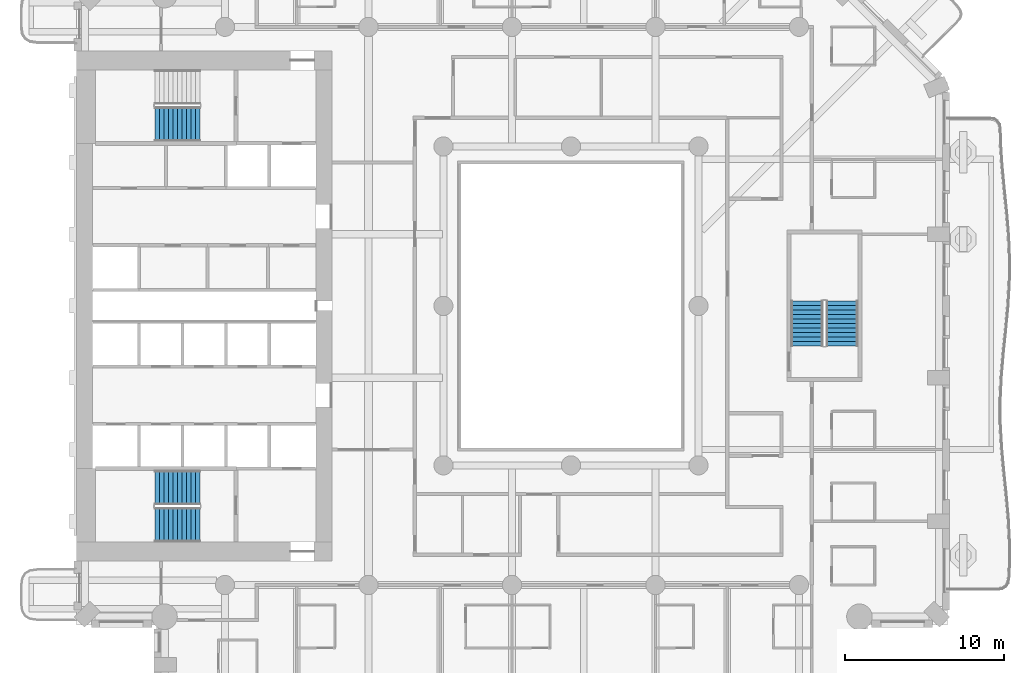
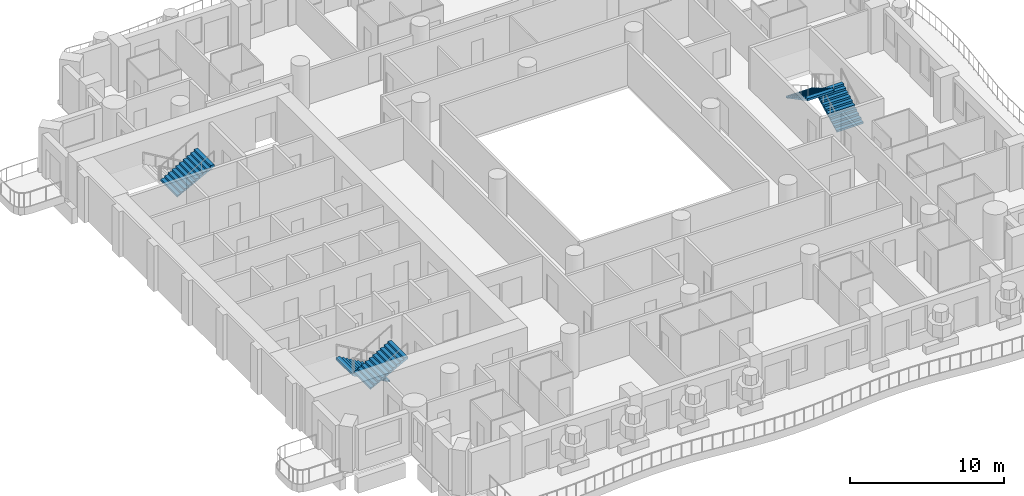
# One storey, part 11 of 20: 5 stair flights, 3 elements without a shape of their own.
"""IFC4 building model written with IfcOpenShell, lengths in metres."""

from ifc_helpers import new_model, si_unit, direction, frame, origin, place, context, subcontext, project, spatial, triangles, material, type_object, element, aggregate, save


model = new_model("IFC4")

# Units and contexts
model_context = context("Model", 3, precision=1e-05, world=origin(), true_north=direction((0.0, 1.0)))
body_context = subcontext(model_context, "Body", "Model", "MODEL_VIEW")
ifc_project = project(units=[si_unit("LENGTHUNIT", "METRE"), si_unit("AREAUNIT", "SQUARE_METRE"), si_unit("VOLUMEUNIT", "CUBIC_METRE"), si_unit("PLANEANGLEUNIT", "RADIAN"), si_unit("MASSUNIT", "GRAM", prefix="KILO")], contexts=[model_context])

# Site, building, storey
site_placement = place(None, origin())
site = spatial("IfcSite", under=ifc_project, at=site_placement, CompositionType="ELEMENT")
building_placement = place(site_placement, origin())
building = spatial("IfcBuilding", under=site, at=building_placement, Name="Cypress Arch Tower", CompositionType="ELEMENT")
storey_placement = place(building_placement, frame((0.0, 0.0, 95.10009765625)))
storey = spatial("IfcBuildingStorey", under=building, at=storey_placement, Name="L18", CompositionType="ELEMENT", Elevation=95.10009765625)

# Stair, stair flights
ifc_material_1 = material(Name="Concrete C40/50", Category="concrete")
stair_type_1 = type_object("IfcStairType", Name="Exit stair ES1636-200", PredefinedType="HALF_TURN_STAIR", material=ifc_material_1)
stair_1_placement = place(storey_placement, origin())
stair_1 = element("IfcStair", 1, at=stair_1_placement, inside=storey, type_object=stair_type_1, Name="L18 Exit stair C", PredefinedType="HALF_TURN_STAIR")
ifc_material_2 = material(Name="Concrete C40/50", Category="concrete")
stair_flight_type_1 = type_object("IfcStairFlightType", Name="Exit stair flight ES1636-200", PredefinedType="STRAIGHT", material=ifc_material_2)
stair_flight_1_placement = place(storey_placement, frame((18.0, -2.5, 0.0), z_axis=(0.0, 0.0, 1.0), x_axis=(0.0, 1.0, 0.0)))
stair_flight_1 = element("IfcStairFlight", 2, at=stair_flight_1_placement, type_object=stair_flight_type_1, Name="C flight 1", NumberOfRisers=11, NumberOfTreads=10, PredefinedType="STRAIGHT", RiserHeight=0.163636364, TreadLength=0.28, context=body_context, shape_type="Tessellation", body=[
    triangles([(0.0, -1.0, 0.0), (0.00048828125, -1.0, 0.054443359375), (0.00048828125, -1.0, 0.109130859375), (0.0, -1.0, 0.16357421875), (0.280029296875, -1.0, 0.16357421875), (0.280029296875, -1.0, 0.327392578125), (0.56005859375, -1.0, 0.327392578125), (0.56005859375, -1.0, 0.490966796875), (0.840087890625, -1.0, 0.490966796875), (0.840087890625, -1.0, 0.654541015625), (1.1201171875, -1.0, 0.654541015625), (1.1201171875, -1.0, 0.818115234375), (1.39990234375, -1.0, 0.818115234375), (1.39990234375, -1.0, 0.98193359375), (1.679931640625, -1.0, 0.98193359375), (1.679931640625, -1.0, 1.1455078125), (1.9599609375, -1.0, 1.1455078125), (1.9599609375, -1.0, 1.30908203125), (2.239990234375, -1.0, 1.30908203125), (2.239990234375, -1.0, 1.47265625), (2.52001953125, -1.0, 1.47265625), (2.52001953125, -1.0, 1.636474609375), (2.800048828125, -1.0, 1.636474609375), (2.799560546875, -1.0, 1.57861328125), (2.799560546875, -1.0, 1.5205078125), (2.800048828125, -1.0, 1.462646484375), (2.800048828125, 1.0, 1.462646484375), (2.799560546875, 1.0, 1.5205078125), (2.799560546875, 1.0, 1.57861328125), (2.800048828125, 1.0, 1.636474609375), (2.52001953125, 1.0, 1.636474609375), (2.52001953125, 1.0, 1.47265625), (2.239990234375, 1.0, 1.47265625), (2.239990234375, 1.0, 1.30908203125), (1.9599609375, 1.0, 1.30908203125), (1.9599609375, 1.0, 1.1455078125), (1.679931640625, 1.0, 1.1455078125), (1.679931640625, 1.0, 0.98193359375), (1.39990234375, 1.0, 0.98193359375), (1.39990234375, 1.0, 0.818115234375), (1.1201171875, 1.0, 0.818115234375), (1.1201171875, 1.0, 0.654541015625), (0.840087890625, 1.0, 0.654541015625), (0.840087890625, 1.0, 0.490966796875), (0.56005859375, 1.0, 0.490966796875), (0.56005859375, 1.0, 0.327392578125), (0.280029296875, 1.0, 0.327392578125), (0.280029296875, 1.0, 0.16357421875), (0.0, 1.0, 0.16357421875), (0.00048828125, 1.0, 0.109130859375), (0.00048828125, 1.0, 0.054443359375), (0.0, 1.0, 0.0), (2.799560546875, 0.0, 1.5205078125), (2.800048828125, 0.0, 1.462646484375), (2.799560546875, 0.0, 1.57861328125), (2.800048828125, 0.0, 1.636474609375), (2.52001953125, 0.0, 1.636474609375), (2.52001953125, 0.0, 1.47265625), (2.239990234375, 0.0, 1.47265625), (2.239990234375, 0.0, 1.30908203125), (1.9599609375, 0.0, 1.30908203125), (1.9599609375, 0.0, 1.1455078125), (1.679931640625, 0.0, 1.1455078125), (1.679931640625, 0.0, 0.98193359375), (1.39990234375, 0.0, 0.98193359375), (1.39990234375, 0.0, 0.818115234375), (1.1201171875, 0.0, 0.818115234375), (1.1201171875, 0.0, 0.654541015625), (0.840087890625, 0.0, 0.654541015625), (0.840087890625, 0.0, 0.490966796875), (0.56005859375, 0.0, 0.490966796875), (0.56005859375, 0.0, 0.327392578125), (0.280029296875, 0.0, 0.327392578125), (0.280029296875, 0.0, 0.16357421875), (0.0, 0.0, 0.16357421875), (0.00048828125, 0.0, 0.109130859375), (0.00048828125, 0.0, 0.054443359375), (0.0, 0.0, 0.0)], [[26, 25, 22], [25, 24, 22], [24, 23, 22], [15, 14, 13], [7, 6, 5], [13, 12, 11], [21, 20, 19], [19, 18, 17], [17, 16, 15], [11, 10, 9], [9, 8, 7], [4, 3, 5], [3, 2, 5], [2, 1, 5], [26, 22, 21], [26, 21, 19], [26, 19, 17], [26, 17, 15], [26, 15, 13], [26, 13, 11], [26, 11, 9], [26, 9, 7], [26, 7, 5], [26, 5, 1], [27, 31, 28], [28, 31, 29], [29, 31, 30], [38, 40, 39], [46, 48, 47], [40, 42, 41], [32, 34, 33], [34, 36, 35], [36, 38, 37], [42, 44, 43], [44, 46, 45], [49, 48, 50], [50, 48, 51], [51, 48, 52], [27, 32, 31], [27, 34, 32], [27, 36, 34], [27, 38, 36], [27, 40, 38], [27, 42, 40], [27, 44, 42], [27, 46, 44], [27, 48, 46], [27, 52, 48], [54, 53, 25], [54, 25, 26], [27, 28, 53], [27, 53, 54], [53, 55, 24], [53, 24, 25], [28, 29, 55], [28, 55, 53], [55, 56, 23], [55, 23, 24], [29, 30, 56], [29, 56, 55], [56, 57, 22], [56, 22, 23], [30, 31, 57], [30, 57, 56], [57, 58, 21], [57, 21, 22], [31, 32, 58], [31, 58, 57], [58, 59, 20], [58, 20, 21], [32, 33, 59], [32, 59, 58], [59, 60, 19], [59, 19, 20], [33, 34, 60], [33, 60, 59], [60, 61, 18], [60, 18, 19], [34, 35, 61], [34, 61, 60], [61, 62, 17], [61, 17, 18], [35, 36, 62], [35, 62, 61], [62, 63, 16], [62, 16, 17], [36, 37, 63], [36, 63, 62], [63, 64, 15], [63, 15, 16], [37, 38, 64], [37, 64, 63], [64, 65, 14], [64, 14, 15], [38, 39, 65], [38, 65, 64], [65, 66, 13], [65, 13, 14], [39, 40, 66], [39, 66, 65], [66, 67, 12], [66, 12, 13], [40, 41, 67], [40, 67, 66], [67, 68, 11], [67, 11, 12], [41, 42, 68], [41, 68, 67], [68, 69, 10], [68, 10, 11], [42, 43, 69], [42, 69, 68], [69, 70, 9], [69, 9, 10], [43, 44, 70], [43, 70, 69], [70, 71, 8], [70, 8, 9], [44, 45, 71], [44, 71, 70], [71, 72, 7], [71, 7, 8], [45, 46, 72], [45, 72, 71], [72, 73, 6], [72, 6, 7], [46, 47, 73], [46, 73, 72], [73, 74, 5], [73, 5, 6], [47, 48, 74], [47, 74, 73], [74, 75, 4], [74, 4, 5], [48, 49, 75], [48, 75, 74], [75, 76, 3], [75, 3, 4], [49, 50, 76], [49, 76, 75], [76, 77, 2], [76, 2, 3], [50, 51, 77], [50, 77, 76], [77, 78, 1], [77, 1, 2], [51, 52, 78], [51, 78, 77], [78, 54, 26], [78, 26, 1], [52, 27, 54], [52, 54, 78]], closed=True),
])
stair_flight_2_placement = place(storey_placement, frame((15.800048828125, 0.300048828125, 1.7998046875), z_axis=(0.0, 0.0, 1.0), x_axis=(0.0, -1.0, 0.0)))
stair_flight_2 = element("IfcStairFlight", 3, at=stair_flight_2_placement, type_object=stair_flight_type_1, Name="C flight 2", NumberOfRisers=11, NumberOfTreads=10, PredefinedType="STRAIGHT", RiserHeight=0.163636364, TreadLength=0.28, context=body_context, shape_type="Tessellation", body=[
    triangles([(0.0, -1.0, 0.0), (0.00048828125, -1.0, 0.054443359375), (0.00048828125, -1.0, 0.109130859375), (0.0, -1.0, 0.16357421875), (0.280029296875, -1.0, 0.16357421875), (0.280029296875, -1.0, 0.327392578125), (0.56005859375, -1.0, 0.327392578125), (0.56005859375, -1.0, 0.490966796875), (0.840087890625, -1.0, 0.490966796875), (0.840087890625, -1.0, 0.654541015625), (1.1201171875, -1.0, 0.654541015625), (1.1201171875, -1.0, 0.818115234375), (1.39990234375, -1.0, 0.818115234375), (1.39990234375, -1.0, 0.98193359375), (1.679931640625, -1.0, 0.98193359375), (1.679931640625, -1.0, 1.1455078125), (1.9599609375, -1.0, 1.1455078125), (1.9599609375, -1.0, 1.30908203125), (2.239990234375, -1.0, 1.30908203125), (2.239990234375, -1.0, 1.47265625), (2.52001953125, -1.0, 1.47265625), (2.52001953125, -1.0, 1.636474609375), (2.800048828125, -1.0, 1.636474609375), (2.799560546875, -1.0, 1.57861328125), (2.799560546875, -1.0, 1.5205078125), (2.800048828125, -1.0, 1.462646484375), (2.800048828125, 1.0, 1.462646484375), (2.799560546875, 1.0, 1.5205078125), (2.799560546875, 1.0, 1.57861328125), (2.800048828125, 1.0, 1.636474609375), (2.52001953125, 1.0, 1.636474609375), (2.52001953125, 1.0, 1.47265625), (2.239990234375, 1.0, 1.47265625), (2.239990234375, 1.0, 1.30908203125), (1.9599609375, 1.0, 1.30908203125), (1.9599609375, 1.0, 1.1455078125), (1.679931640625, 1.0, 1.1455078125), (1.679931640625, 1.0, 0.98193359375), (1.39990234375, 1.0, 0.98193359375), (1.39990234375, 1.0, 0.818115234375), (1.1201171875, 1.0, 0.818115234375), (1.1201171875, 1.0, 0.654541015625), (0.840087890625, 1.0, 0.654541015625), (0.840087890625, 1.0, 0.490966796875), (0.56005859375, 1.0, 0.490966796875), (0.56005859375, 1.0, 0.327392578125), (0.280029296875, 1.0, 0.327392578125), (0.280029296875, 1.0, 0.16357421875), (0.0, 1.0, 0.16357421875), (0.00048828125, 1.0, 0.109130859375), (0.00048828125, 1.0, 0.054443359375), (0.0, 1.0, 0.0), (2.799560546875, 0.0, 1.5205078125), (2.800048828125, 0.0, 1.462646484375), (2.799560546875, 0.0, 1.57861328125), (2.800048828125, 0.0, 1.636474609375), (2.52001953125, 0.0, 1.636474609375), (2.52001953125, 0.0, 1.47265625), (2.239990234375, 0.0, 1.47265625), (2.239990234375, 0.0, 1.30908203125), (1.9599609375, 0.0, 1.30908203125), (1.9599609375, 0.0, 1.1455078125), (1.679931640625, 0.0, 1.1455078125), (1.679931640625, 0.0, 0.98193359375), (1.39990234375, 0.0, 0.98193359375), (1.39990234375, 0.0, 0.818115234375), (1.1201171875, 0.0, 0.818115234375), (1.1201171875, 0.0, 0.654541015625), (0.840087890625, 0.0, 0.654541015625), (0.840087890625, 0.0, 0.490966796875), (0.56005859375, 0.0, 0.490966796875), (0.56005859375, 0.0, 0.327392578125), (0.280029296875, 0.0, 0.327392578125), (0.280029296875, 0.0, 0.16357421875), (0.0, 0.0, 0.16357421875), (0.00048828125, 0.0, 0.109130859375), (0.00048828125, 0.0, 0.054443359375), (0.0, 0.0, 0.0)], [[26, 25, 22], [25, 24, 22], [24, 23, 22], [15, 14, 13], [7, 6, 5], [13, 12, 11], [21, 20, 19], [19, 18, 17], [17, 16, 15], [11, 10, 9], [9, 8, 7], [4, 3, 5], [3, 2, 5], [2, 1, 5], [26, 22, 21], [26, 21, 19], [26, 19, 17], [26, 17, 15], [26, 15, 13], [26, 13, 11], [26, 11, 9], [26, 9, 7], [26, 7, 5], [26, 5, 1], [27, 31, 28], [28, 31, 29], [29, 31, 30], [38, 40, 39], [46, 48, 47], [40, 42, 41], [32, 34, 33], [34, 36, 35], [36, 38, 37], [42, 44, 43], [44, 46, 45], [49, 48, 50], [50, 48, 51], [51, 48, 52], [27, 32, 31], [27, 34, 32], [27, 36, 34], [27, 38, 36], [27, 40, 38], [27, 42, 40], [27, 44, 42], [27, 46, 44], [27, 48, 46], [27, 52, 48], [54, 53, 25], [54, 25, 26], [27, 28, 53], [27, 53, 54], [53, 55, 24], [53, 24, 25], [28, 29, 55], [28, 55, 53], [55, 56, 23], [55, 23, 24], [29, 30, 56], [29, 56, 55], [56, 57, 22], [56, 22, 23], [30, 31, 57], [30, 57, 56], [57, 58, 21], [57, 21, 22], [31, 32, 58], [31, 58, 57], [58, 59, 20], [58, 20, 21], [32, 33, 59], [32, 59, 58], [59, 60, 19], [59, 19, 20], [33, 34, 60], [33, 60, 59], [60, 61, 18], [60, 18, 19], [34, 35, 61], [34, 61, 60], [61, 62, 17], [61, 17, 18], [35, 36, 62], [35, 62, 61], [62, 63, 16], [62, 16, 17], [36, 37, 63], [36, 63, 62], [63, 64, 15], [63, 15, 16], [37, 38, 64], [37, 64, 63], [64, 65, 14], [64, 14, 15], [38, 39, 65], [38, 65, 64], [65, 66, 13], [65, 13, 14], [39, 40, 66], [39, 66, 65], [66, 67, 12], [66, 12, 13], [40, 41, 67], [40, 67, 66], [67, 68, 11], [67, 11, 12], [41, 42, 68], [41, 68, 67], [68, 69, 10], [68, 10, 11], [42, 43, 69], [42, 69, 68], [69, 70, 9], [69, 9, 10], [43, 44, 70], [43, 70, 69], [70, 71, 8], [70, 8, 9], [44, 45, 71], [44, 71, 70], [71, 72, 7], [71, 7, 8], [45, 46, 72], [45, 72, 71], [72, 73, 6], [72, 6, 7], [46, 47, 73], [46, 73, 72], [73, 74, 5], [73, 5, 6], [47, 48, 74], [47, 74, 73], [74, 75, 4], [74, 4, 5], [48, 49, 75], [48, 75, 74], [75, 76, 3], [75, 3, 4], [49, 50, 76], [49, 76, 75], [76, 77, 2], [76, 2, 3], [50, 51, 77], [50, 77, 76], [77, 78, 1], [77, 1, 2], [51, 52, 78], [51, 78, 77], [78, 54, 26], [78, 26, 1], [52, 27, 54], [52, 54, 78]], closed=True),
])
aggregate(stair_1, [stair_flight_1, stair_flight_2])

ifc_material_3 = material(Name="Concrete C40/50", Category="concrete")
stair_type_2 = type_object("IfcStairType", Name="Exit stair ES1636-215", PredefinedType="HALF_TURN_STAIR", material=ifc_material_3)
stair_2_placement = place(storey_placement, origin())
stair_2 = element("IfcStair", 4, at=stair_2_placement, inside=storey, type_object=stair_type_2, Name="L18 Exit stair A", PredefinedType="HALF_TURN_STAIR")
ifc_material_4 = material(Name="Concrete C40/50", Category="concrete")
stair_flight_type_2 = type_object("IfcStairFlightType", Name="Exit stair flight ES1636-215", PredefinedType="STRAIGHT", material=ifc_material_4)
stair_flight_3_placement = place(storey_placement, frame((-22.27490234375, -11.39990234375, 0.0), z_axis=(0.0, 0.0, 1.0), x_axis=(-1.0, 0.0, 0.0)))
stair_flight_3 = element("IfcStairFlight", 5, at=stair_flight_3_placement, type_object=stair_flight_type_2, Name="A flight 1", NumberOfRisers=11, NumberOfTreads=10, PredefinedType="STRAIGHT", RiserHeight=0.163636364, TreadLength=0.28, context=body_context, shape_type="Tessellation", body=[
    triangles([(0.0, -1.074951171875, 0.0), (0.000244140625, -1.074951171875, 0.03271484375), (0.00048828125, -1.074951171875, 0.0654296875), (0.00048828125, -1.074951171875, 0.09814453125), (0.000244140625, -1.074951171875, 0.130859375), (0.0, -1.074951171875, 0.16357421875), (0.280029296875, -1.074951171875, 0.16357421875), (0.280029296875, -1.074951171875, 0.327392578125), (0.56005859375, -1.074951171875, 0.327392578125), (0.56005859375, -1.074951171875, 0.490966796875), (0.840087890625, -1.074951171875, 0.490966796875), (0.840087890625, -1.074951171875, 0.654541015625), (1.1201171875, -1.074951171875, 0.654541015625), (1.1201171875, -1.074951171875, 0.818115234375), (1.39990234375, -1.074951171875, 0.818115234375), (1.39990234375, -1.074951171875, 0.98193359375), (1.679931640625, -1.074951171875, 0.98193359375), (1.679931640625, -1.074951171875, 1.1455078125), (1.9599609375, -1.074951171875, 1.1455078125), (1.9599609375, -1.074951171875, 1.30908203125), (2.239990234375, -1.074951171875, 1.30908203125), (2.239990234375, -1.074951171875, 1.47265625), (2.52001953125, -1.074951171875, 1.47265625), (2.52001953125, -1.074951171875, 1.636474609375), (2.800048828125, -1.074951171875, 1.636474609375), (2.7998046875, -1.074951171875, 1.601806640625), (2.799560546875, -1.074951171875, 1.56689453125), (2.799560546875, -1.074951171875, 1.5322265625), (2.7998046875, -1.074951171875, 1.497314453125), (2.800048828125, -1.074951171875, 1.462646484375), (2.800048828125, 1.074951171875, 1.462646484375), (2.7998046875, 1.074951171875, 1.497314453125), (2.799560546875, 1.074951171875, 1.5322265625), (2.799560546875, 1.074951171875, 1.56689453125), (2.7998046875, 1.074951171875, 1.601806640625), (2.800048828125, 1.074951171875, 1.636474609375), (2.52001953125, 1.074951171875, 1.636474609375), (2.52001953125, 1.074951171875, 1.47265625), (2.239990234375, 1.074951171875, 1.47265625), (2.239990234375, 1.074951171875, 1.30908203125), (1.9599609375, 1.074951171875, 1.30908203125), (1.9599609375, 1.074951171875, 1.1455078125), (1.679931640625, 1.074951171875, 1.1455078125), (1.679931640625, 1.074951171875, 0.98193359375), (1.39990234375, 1.074951171875, 0.98193359375), (1.39990234375, 1.074951171875, 0.818115234375), (1.1201171875, 1.074951171875, 0.818115234375), (1.1201171875, 1.074951171875, 0.654541015625), (0.840087890625, 1.074951171875, 0.654541015625), (0.840087890625, 1.074951171875, 0.490966796875), (0.56005859375, 1.074951171875, 0.490966796875), (0.56005859375, 1.074951171875, 0.327392578125), (0.280029296875, 1.074951171875, 0.327392578125), (0.280029296875, 1.074951171875, 0.16357421875), (0.0, 1.074951171875, 0.16357421875), (0.000244140625, 1.074951171875, 0.130859375), (0.00048828125, 1.074951171875, 0.09814453125), (0.00048828125, 1.074951171875, 0.0654296875), (0.000244140625, 1.074951171875, 0.03271484375), (0.0, 1.074951171875, 0.0), (2.7998046875, 0.0, 1.497314453125), (2.800048828125, 0.0, 1.462646484375), (2.799560546875, 0.0, 1.5322265625), (2.799560546875, 0.0, 1.56689453125), (2.7998046875, 0.0, 1.601806640625), (2.800048828125, 0.0, 1.636474609375), (2.52001953125, 0.0, 1.636474609375), (2.52001953125, 0.0, 1.47265625), (2.239990234375, 0.0, 1.47265625), (2.239990234375, 0.0, 1.30908203125), (1.9599609375, 0.0, 1.30908203125), (1.9599609375, 0.0, 1.1455078125), (1.679931640625, 0.0, 1.1455078125), (1.679931640625, 0.0, 0.98193359375), (1.39990234375, 0.0, 0.98193359375), (1.39990234375, 0.0, 0.818115234375), (1.1201171875, 0.0, 0.818115234375), (1.1201171875, 0.0, 0.654541015625), (0.840087890625, 0.0, 0.654541015625), (0.840087890625, 0.0, 0.490966796875), (0.56005859375, 0.0, 0.490966796875), (0.56005859375, 0.0, 0.327392578125), (0.280029296875, 0.0, 0.327392578125), (0.280029296875, 0.0, 0.16357421875), (0.0, 0.0, 0.16357421875), (0.000244140625, 0.0, 0.130859375), (0.00048828125, 0.0, 0.09814453125), (0.00048828125, 0.0, 0.0654296875), (0.000244140625, 0.0, 0.03271484375), (0.0, 0.0, 0.0)], [[30, 29, 24], [29, 28, 24], [28, 27, 24], [27, 26, 24], [26, 25, 24], [17, 16, 15], [9, 8, 7], [15, 14, 13], [23, 22, 21], [21, 20, 19], [19, 18, 17], [13, 12, 11], [11, 10, 9], [6, 5, 7], [5, 4, 7], [4, 3, 7], [3, 2, 7], [2, 1, 7], [30, 24, 23], [30, 23, 21], [30, 21, 19], [30, 19, 17], [30, 17, 15], [30, 15, 13], [30, 13, 11], [30, 11, 9], [30, 9, 7], [30, 7, 1], [31, 37, 32], [32, 37, 33], [33, 37, 34], [34, 37, 35], [35, 37, 36], [44, 46, 45], [52, 54, 53], [46, 48, 47], [38, 40, 39], [40, 42, 41], [42, 44, 43], [48, 50, 49], [50, 52, 51], [55, 54, 56], [56, 54, 57], [57, 54, 58], [58, 54, 59], [59, 54, 60], [31, 38, 37], [31, 40, 38], [31, 42, 40], [31, 44, 42], [31, 46, 44], [31, 48, 46], [31, 50, 48], [31, 52, 50], [31, 54, 52], [31, 60, 54], [62, 61, 29], [62, 29, 30], [31, 32, 61], [31, 61, 62], [61, 63, 28], [61, 28, 29], [32, 33, 63], [32, 63, 61], [63, 64, 27], [63, 27, 28], [33, 34, 64], [33, 64, 63], [64, 65, 26], [64, 26, 27], [34, 35, 65], [34, 65, 64], [65, 66, 25], [65, 25, 26], [35, 36, 66], [35, 66, 65], [66, 67, 24], [66, 24, 25], [36, 37, 67], [36, 67, 66], [67, 68, 23], [67, 23, 24], [37, 38, 68], [37, 68, 67], [68, 69, 22], [68, 22, 23], [38, 39, 69], [38, 69, 68], [69, 70, 21], [69, 21, 22], [39, 40, 70], [39, 70, 69], [70, 71, 20], [70, 20, 21], [40, 41, 71], [40, 71, 70], [71, 72, 19], [71, 19, 20], [41, 42, 72], [41, 72, 71], [72, 73, 18], [72, 18, 19], [42, 43, 73], [42, 73, 72], [73, 74, 17], [73, 17, 18], [43, 44, 74], [43, 74, 73], [74, 75, 16], [74, 16, 17], [44, 45, 75], [44, 75, 74], [75, 76, 15], [75, 15, 16], [45, 46, 76], [45, 76, 75], [76, 77, 14], [76, 14, 15], [46, 47, 77], [46, 77, 76], [77, 78, 13], [77, 13, 14], [47, 48, 78], [47, 78, 77], [78, 79, 12], [78, 12, 13], [48, 49, 79], [48, 79, 78], [79, 80, 11], [79, 11, 12], [49, 50, 80], [49, 80, 79], [80, 81, 10], [80, 10, 11], [50, 51, 81], [50, 81, 80], [81, 82, 9], [81, 9, 10], [51, 52, 82], [51, 82, 81], [82, 83, 8], [82, 8, 9], [52, 53, 83], [52, 83, 82], [83, 84, 7], [83, 7, 8], [53, 54, 84], [53, 84, 83], [84, 85, 6], [84, 6, 7], [54, 55, 85], [54, 85, 84], [85, 86, 5], [85, 5, 6], [55, 56, 86], [55, 86, 85], [86, 87, 4], [86, 4, 5], [56, 57, 87], [56, 87, 86], [87, 88, 3], [87, 3, 4], [57, 58, 88], [57, 88, 87], [88, 89, 2], [88, 2, 3], [58, 59, 89], [58, 89, 88], [89, 90, 1], [89, 1, 2], [59, 60, 90], [59, 90, 89], [90, 62, 30], [90, 30, 1], [60, 31, 62], [60, 62, 90]], closed=True),
])
stair_flight_4_placement = place(storey_placement, frame((-25.074951171875, -13.72509765625, 1.7998046875), z_axis=(0.0, 0.0, 1.0), x_axis=(1.0, 0.0, 0.0)))
stair_flight_4 = element("IfcStairFlight", 6, at=stair_flight_4_placement, type_object=stair_flight_type_2, Name="A flight 2", NumberOfRisers=11, NumberOfTreads=10, PredefinedType="STRAIGHT", RiserHeight=0.163636364, TreadLength=0.28, context=body_context, shape_type="Tessellation", body=[
    triangles([(0.0, -1.074951171875, 0.0), (0.000244140625, -1.074951171875, 0.03271484375), (0.00048828125, -1.074951171875, 0.0654296875), (0.00048828125, -1.074951171875, 0.09814453125), (0.000244140625, -1.074951171875, 0.130859375), (0.0, -1.074951171875, 0.16357421875), (0.280029296875, -1.074951171875, 0.16357421875), (0.280029296875, -1.074951171875, 0.327392578125), (0.56005859375, -1.074951171875, 0.327392578125), (0.56005859375, -1.074951171875, 0.490966796875), (0.840087890625, -1.074951171875, 0.490966796875), (0.840087890625, -1.074951171875, 0.654541015625), (1.1201171875, -1.074951171875, 0.654541015625), (1.1201171875, -1.074951171875, 0.818115234375), (1.39990234375, -1.074951171875, 0.818115234375), (1.39990234375, -1.074951171875, 0.98193359375), (1.679931640625, -1.074951171875, 0.98193359375), (1.679931640625, -1.074951171875, 1.1455078125), (1.9599609375, -1.074951171875, 1.1455078125), (1.9599609375, -1.074951171875, 1.30908203125), (2.239990234375, -1.074951171875, 1.30908203125), (2.239990234375, -1.074951171875, 1.47265625), (2.52001953125, -1.074951171875, 1.47265625), (2.52001953125, -1.074951171875, 1.636474609375), (2.800048828125, -1.074951171875, 1.636474609375), (2.7998046875, -1.074951171875, 1.601806640625), (2.799560546875, -1.074951171875, 1.56689453125), (2.799560546875, -1.074951171875, 1.5322265625), (2.7998046875, -1.074951171875, 1.497314453125), (2.800048828125, -1.074951171875, 1.462646484375), (2.800048828125, 1.074951171875, 1.462646484375), (2.7998046875, 1.074951171875, 1.497314453125), (2.799560546875, 1.074951171875, 1.5322265625), (2.799560546875, 1.074951171875, 1.56689453125), (2.7998046875, 1.074951171875, 1.601806640625), (2.800048828125, 1.074951171875, 1.636474609375), (2.52001953125, 1.074951171875, 1.636474609375), (2.52001953125, 1.074951171875, 1.47265625), (2.239990234375, 1.074951171875, 1.47265625), (2.239990234375, 1.074951171875, 1.30908203125), (1.9599609375, 1.074951171875, 1.30908203125), (1.9599609375, 1.074951171875, 1.1455078125), (1.679931640625, 1.074951171875, 1.1455078125), (1.679931640625, 1.074951171875, 0.98193359375), (1.39990234375, 1.074951171875, 0.98193359375), (1.39990234375, 1.074951171875, 0.818115234375), (1.1201171875, 1.074951171875, 0.818115234375), (1.1201171875, 1.074951171875, 0.654541015625), (0.840087890625, 1.074951171875, 0.654541015625), (0.840087890625, 1.074951171875, 0.490966796875), (0.56005859375, 1.074951171875, 0.490966796875), (0.56005859375, 1.074951171875, 0.327392578125), (0.280029296875, 1.074951171875, 0.327392578125), (0.280029296875, 1.074951171875, 0.16357421875), (0.0, 1.074951171875, 0.16357421875), (0.000244140625, 1.074951171875, 0.130859375), (0.00048828125, 1.074951171875, 0.09814453125), (0.00048828125, 1.074951171875, 0.0654296875), (0.000244140625, 1.074951171875, 0.03271484375), (0.0, 1.074951171875, 0.0), (2.7998046875, 0.0, 1.497314453125), (2.800048828125, 0.0, 1.462646484375), (2.799560546875, 0.0, 1.5322265625), (2.799560546875, 0.0, 1.56689453125), (2.7998046875, 0.0, 1.601806640625), (2.800048828125, 0.0, 1.636474609375), (2.52001953125, 0.0, 1.636474609375), (2.52001953125, 0.0, 1.47265625), (2.239990234375, 0.0, 1.47265625), (2.239990234375, 0.0, 1.30908203125), (1.9599609375, 0.0, 1.30908203125), (1.9599609375, 0.0, 1.1455078125), (1.679931640625, 0.0, 1.1455078125), (1.679931640625, 0.0, 0.98193359375), (1.39990234375, 0.0, 0.98193359375), (1.39990234375, 0.0, 0.818115234375), (1.1201171875, 0.0, 0.818115234375), (1.1201171875, 0.0, 0.654541015625), (0.840087890625, 0.0, 0.654541015625), (0.840087890625, 0.0, 0.490966796875), (0.56005859375, 0.0, 0.490966796875), (0.56005859375, 0.0, 0.327392578125), (0.280029296875, 0.0, 0.327392578125), (0.280029296875, 0.0, 0.16357421875), (0.0, 0.0, 0.16357421875), (0.000244140625, 0.0, 0.130859375), (0.00048828125, 0.0, 0.09814453125), (0.00048828125, 0.0, 0.0654296875), (0.000244140625, 0.0, 0.03271484375), (0.0, 0.0, 0.0)], [[30, 29, 24], [29, 28, 24], [28, 27, 24], [27, 26, 24], [26, 25, 24], [17, 16, 15], [9, 8, 7], [15, 14, 13], [23, 22, 21], [21, 20, 19], [19, 18, 17], [13, 12, 11], [11, 10, 9], [6, 5, 7], [5, 4, 7], [4, 3, 7], [3, 2, 7], [2, 1, 7], [30, 24, 23], [30, 23, 21], [30, 21, 19], [30, 19, 17], [30, 17, 15], [30, 15, 13], [30, 13, 11], [30, 11, 9], [30, 9, 7], [30, 7, 1], [31, 37, 32], [32, 37, 33], [33, 37, 34], [34, 37, 35], [35, 37, 36], [44, 46, 45], [52, 54, 53], [46, 48, 47], [38, 40, 39], [40, 42, 41], [42, 44, 43], [48, 50, 49], [50, 52, 51], [55, 54, 56], [56, 54, 57], [57, 54, 58], [58, 54, 59], [59, 54, 60], [31, 38, 37], [31, 40, 38], [31, 42, 40], [31, 44, 42], [31, 46, 44], [31, 48, 46], [31, 50, 48], [31, 52, 50], [31, 54, 52], [31, 60, 54], [62, 61, 29], [62, 29, 30], [31, 32, 61], [31, 61, 62], [61, 63, 28], [61, 28, 29], [32, 33, 63], [32, 63, 61], [63, 64, 27], [63, 27, 28], [33, 34, 64], [33, 64, 63], [64, 65, 26], [64, 26, 27], [34, 35, 65], [34, 65, 64], [65, 66, 25], [65, 25, 26], [35, 36, 66], [35, 66, 65], [66, 67, 24], [66, 24, 25], [36, 37, 67], [36, 67, 66], [67, 68, 23], [67, 23, 24], [37, 38, 68], [37, 68, 67], [68, 69, 22], [68, 22, 23], [38, 39, 69], [38, 69, 68], [69, 70, 21], [69, 21, 22], [39, 40, 70], [39, 70, 69], [70, 71, 20], [70, 20, 21], [40, 41, 71], [40, 71, 70], [71, 72, 19], [71, 19, 20], [41, 42, 72], [41, 72, 71], [72, 73, 18], [72, 18, 19], [42, 43, 73], [42, 73, 72], [73, 74, 17], [73, 17, 18], [43, 44, 74], [43, 74, 73], [74, 75, 16], [74, 16, 17], [44, 45, 75], [44, 75, 74], [75, 76, 15], [75, 15, 16], [45, 46, 76], [45, 76, 75], [76, 77, 14], [76, 14, 15], [46, 47, 77], [46, 77, 76], [77, 78, 13], [77, 13, 14], [47, 48, 78], [47, 78, 77], [78, 79, 12], [78, 12, 13], [48, 49, 79], [48, 79, 78], [79, 80, 11], [79, 11, 12], [49, 50, 80], [49, 80, 79], [80, 81, 10], [80, 10, 11], [50, 51, 81], [50, 81, 80], [81, 82, 9], [81, 9, 10], [51, 52, 82], [51, 82, 81], [82, 83, 8], [82, 8, 9], [52, 53, 83], [52, 83, 82], [83, 84, 7], [83, 7, 8], [53, 54, 84], [53, 84, 83], [84, 85, 6], [84, 6, 7], [54, 55, 85], [54, 85, 84], [85, 86, 5], [85, 5, 6], [55, 56, 86], [55, 86, 85], [86, 87, 4], [86, 4, 5], [56, 57, 87], [56, 87, 86], [87, 88, 3], [87, 3, 4], [57, 58, 88], [57, 88, 87], [88, 89, 2], [88, 2, 3], [58, 59, 89], [58, 89, 88], [89, 90, 1], [89, 1, 2], [59, 60, 90], [59, 90, 89], [90, 62, 30], [90, 30, 1], [60, 31, 62], [60, 62, 90]], closed=True),
])
aggregate(stair_2, [stair_flight_3, stair_flight_4])

# Stair, stair flight
stair_3_placement = place(storey_placement, origin())
stair_3 = element("IfcStair", 7, at=stair_3_placement, inside=storey, type_object=stair_type_2, Name="L18 Exit stair B", PredefinedType="HALF_TURN_STAIR")
stair_flight_5_placement = place(storey_placement, frame((-25.074951171875, 11.39990234375, 1.7998046875), z_axis=(0.0, 0.0, 1.0), x_axis=(1.0, 0.0, 0.0)))
stair_flight_5 = element("IfcStairFlight", 8, at=stair_flight_5_placement, type_object=stair_flight_type_2, Name="B flight 2", NumberOfRisers=11, NumberOfTreads=10, PredefinedType="STRAIGHT", RiserHeight=0.163636364, TreadLength=0.28, context=body_context, shape_type="Tessellation", body=[
    triangles([(0.0, -1.074951171875, 0.0), (0.000244140625, -1.074951171875, 0.03271484375), (0.00048828125, -1.074951171875, 0.0654296875), (0.00048828125, -1.074951171875, 0.09814453125), (0.000244140625, -1.074951171875, 0.130859375), (0.0, -1.074951171875, 0.16357421875), (0.280029296875, -1.074951171875, 0.16357421875), (0.280029296875, -1.074951171875, 0.327392578125), (0.56005859375, -1.074951171875, 0.327392578125), (0.56005859375, -1.074951171875, 0.490966796875), (0.840087890625, -1.074951171875, 0.490966796875), (0.840087890625, -1.074951171875, 0.654541015625), (1.1201171875, -1.074951171875, 0.654541015625), (1.1201171875, -1.074951171875, 0.818115234375), (1.39990234375, -1.074951171875, 0.818115234375), (1.39990234375, -1.074951171875, 0.98193359375), (1.679931640625, -1.074951171875, 0.98193359375), (1.679931640625, -1.074951171875, 1.1455078125), (1.9599609375, -1.074951171875, 1.1455078125), (1.9599609375, -1.074951171875, 1.30908203125), (2.239990234375, -1.074951171875, 1.30908203125), (2.239990234375, -1.074951171875, 1.47265625), (2.52001953125, -1.074951171875, 1.47265625), (2.52001953125, -1.074951171875, 1.636474609375), (2.800048828125, -1.074951171875, 1.636474609375), (2.7998046875, -1.074951171875, 1.601806640625), (2.799560546875, -1.074951171875, 1.56689453125), (2.799560546875, -1.074951171875, 1.5322265625), (2.7998046875, -1.074951171875, 1.497314453125), (2.800048828125, -1.074951171875, 1.462646484375), (2.800048828125, 1.074951171875, 1.462646484375), (2.7998046875, 1.074951171875, 1.497314453125), (2.799560546875, 1.074951171875, 1.5322265625), (2.799560546875, 1.074951171875, 1.56689453125), (2.7998046875, 1.074951171875, 1.601806640625), (2.800048828125, 1.074951171875, 1.636474609375), (2.52001953125, 1.074951171875, 1.636474609375), (2.52001953125, 1.074951171875, 1.47265625), (2.239990234375, 1.074951171875, 1.47265625), (2.239990234375, 1.074951171875, 1.30908203125), (1.9599609375, 1.074951171875, 1.30908203125), (1.9599609375, 1.074951171875, 1.1455078125), (1.679931640625, 1.074951171875, 1.1455078125), (1.679931640625, 1.074951171875, 0.98193359375), (1.39990234375, 1.074951171875, 0.98193359375), (1.39990234375, 1.074951171875, 0.818115234375), (1.1201171875, 1.074951171875, 0.818115234375), (1.1201171875, 1.074951171875, 0.654541015625), (0.840087890625, 1.074951171875, 0.654541015625), (0.840087890625, 1.074951171875, 0.490966796875), (0.56005859375, 1.074951171875, 0.490966796875), (0.56005859375, 1.074951171875, 0.327392578125), (0.280029296875, 1.074951171875, 0.327392578125), (0.280029296875, 1.074951171875, 0.16357421875), (0.0, 1.074951171875, 0.16357421875), (0.000244140625, 1.074951171875, 0.130859375), (0.00048828125, 1.074951171875, 0.09814453125), (0.00048828125, 1.074951171875, 0.0654296875), (0.000244140625, 1.074951171875, 0.03271484375), (0.0, 1.074951171875, 0.0), (2.7998046875, 0.0, 1.497314453125), (2.800048828125, 0.0, 1.462646484375), (2.799560546875, 0.0, 1.5322265625), (2.799560546875, 0.0, 1.56689453125), (2.7998046875, 0.0, 1.601806640625), (2.800048828125, 0.0, 1.636474609375), (2.52001953125, 0.0, 1.636474609375), (2.52001953125, 0.0, 1.47265625), (2.239990234375, 0.0, 1.47265625), (2.239990234375, 0.0, 1.30908203125), (1.9599609375, 0.0, 1.30908203125), (1.9599609375, 0.0, 1.1455078125), (1.679931640625, 0.0, 1.1455078125), (1.679931640625, 0.0, 0.98193359375), (1.39990234375, 0.0, 0.98193359375), (1.39990234375, 0.0, 0.818115234375), (1.1201171875, 0.0, 0.818115234375), (1.1201171875, 0.0, 0.654541015625), (0.840087890625, 0.0, 0.654541015625), (0.840087890625, 0.0, 0.490966796875), (0.56005859375, 0.0, 0.490966796875), (0.56005859375, 0.0, 0.327392578125), (0.280029296875, 0.0, 0.327392578125), (0.280029296875, 0.0, 0.16357421875), (0.0, 0.0, 0.16357421875), (0.000244140625, 0.0, 0.130859375), (0.00048828125, 0.0, 0.09814453125), (0.00048828125, 0.0, 0.0654296875), (0.000244140625, 0.0, 0.03271484375), (0.0, 0.0, 0.0)], [[30, 29, 24], [29, 28, 24], [28, 27, 24], [27, 26, 24], [26, 25, 24], [17, 16, 15], [9, 8, 7], [15, 14, 13], [23, 22, 21], [21, 20, 19], [19, 18, 17], [13, 12, 11], [11, 10, 9], [6, 5, 7], [5, 4, 7], [4, 3, 7], [3, 2, 7], [2, 1, 7], [30, 24, 23], [30, 23, 21], [30, 21, 19], [30, 19, 17], [30, 17, 15], [30, 15, 13], [30, 13, 11], [30, 11, 9], [30, 9, 7], [30, 7, 1], [31, 37, 32], [32, 37, 33], [33, 37, 34], [34, 37, 35], [35, 37, 36], [44, 46, 45], [52, 54, 53], [46, 48, 47], [38, 40, 39], [40, 42, 41], [42, 44, 43], [48, 50, 49], [50, 52, 51], [55, 54, 56], [56, 54, 57], [57, 54, 58], [58, 54, 59], [59, 54, 60], [31, 38, 37], [31, 40, 38], [31, 42, 40], [31, 44, 42], [31, 46, 44], [31, 48, 46], [31, 50, 48], [31, 52, 50], [31, 54, 52], [31, 60, 54], [62, 61, 29], [62, 29, 30], [31, 32, 61], [31, 61, 62], [61, 63, 28], [61, 28, 29], [32, 33, 63], [32, 63, 61], [63, 64, 27], [63, 27, 28], [33, 34, 64], [33, 64, 63], [64, 65, 26], [64, 26, 27], [34, 35, 65], [34, 65, 64], [65, 66, 25], [65, 25, 26], [35, 36, 66], [35, 66, 65], [66, 67, 24], [66, 24, 25], [36, 37, 67], [36, 67, 66], [67, 68, 23], [67, 23, 24], [37, 38, 68], [37, 68, 67], [68, 69, 22], [68, 22, 23], [38, 39, 69], [38, 69, 68], [69, 70, 21], [69, 21, 22], [39, 40, 70], [39, 70, 69], [70, 71, 20], [70, 20, 21], [40, 41, 71], [40, 71, 70], [71, 72, 19], [71, 19, 20], [41, 42, 72], [41, 72, 71], [72, 73, 18], [72, 18, 19], [42, 43, 73], [42, 73, 72], [73, 74, 17], [73, 17, 18], [43, 44, 74], [43, 74, 73], [74, 75, 16], [74, 16, 17], [44, 45, 75], [44, 75, 74], [75, 76, 15], [75, 15, 16], [45, 46, 76], [45, 76, 75], [76, 77, 14], [76, 14, 15], [46, 47, 77], [46, 77, 76], [77, 78, 13], [77, 13, 14], [47, 48, 78], [47, 78, 77], [78, 79, 12], [78, 12, 13], [48, 49, 79], [48, 79, 78], [79, 80, 11], [79, 11, 12], [49, 50, 80], [49, 80, 79], [80, 81, 10], [80, 10, 11], [50, 51, 81], [50, 81, 80], [81, 82, 9], [81, 9, 10], [51, 52, 82], [51, 82, 81], [82, 83, 8], [82, 8, 9], [52, 53, 83], [52, 83, 82], [83, 84, 7], [83, 7, 8], [53, 54, 84], [53, 84, 83], [84, 85, 6], [84, 6, 7], [54, 55, 85], [54, 85, 84], [85, 86, 5], [85, 5, 6], [55, 56, 86], [55, 86, 85], [86, 87, 4], [86, 4, 5], [56, 57, 87], [56, 87, 86], [87, 88, 3], [87, 3, 4], [57, 58, 88], [57, 88, 87], [88, 89, 2], [88, 2, 3], [58, 59, 89], [58, 89, 88], [89, 90, 1], [89, 1, 2], [59, 60, 90], [59, 90, 89], [90, 62, 30], [90, 30, 1], [60, 31, 62], [60, 62, 90]], closed=True),
])
aggregate(stair_3, [stair_flight_5])

save(model, "model.ifc")
